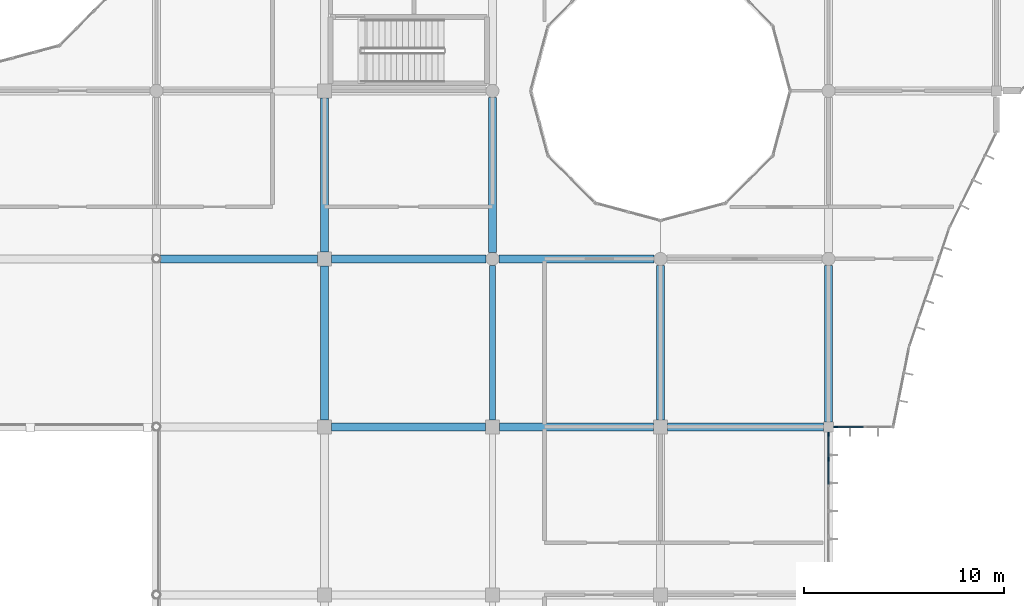
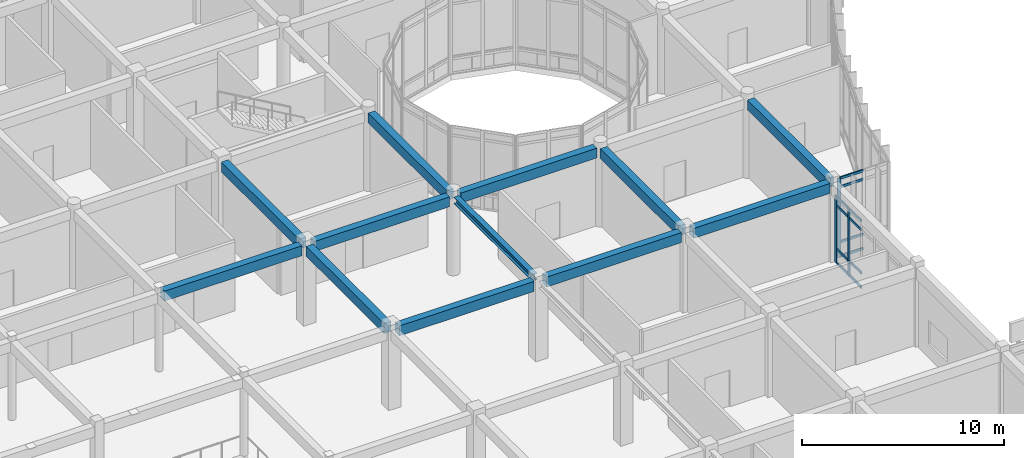
# One storey, part 26 of 134: 15 members, 12 beams, 2 elements without a shape of their own.
"""IFC4 building model written with IfcOpenShell, lengths in metres."""

from ifc_helpers import new_model, si_unit, direction, frame, origin, origin_2d, place, context, subcontext, project, spatial, rectangle, i_section, extrude, material, layer, layer_set, material_profile, profile_set, type_object, element, aggregate, save


model = new_model("IFC4")

# Units and contexts
model_context = context("Model", 3, precision=1e-05, world=origin(), true_north=direction((0.0, 1.0)))
body_context = subcontext(model_context, "Body", "Model", "MODEL_VIEW")
ifc_project = project(units=[si_unit("LENGTHUNIT", "METRE"), si_unit("AREAUNIT", "SQUARE_METRE"), si_unit("VOLUMEUNIT", "CUBIC_METRE"), si_unit("PLANEANGLEUNIT", "RADIAN"), si_unit("MASSUNIT", "GRAM", prefix="KILO")], contexts=[model_context])

# Site, building, storey
site_placement = place(None, origin())
site = spatial("IfcSite", under=ifc_project, at=site_placement, CompositionType="ELEMENT")
building_placement = place(site_placement, origin())
building = spatial("IfcBuilding", under=site, at=building_placement, Name="Bramfleet General Hospital", CompositionType="ELEMENT")
storey_placement = place(building_placement, frame((0.0, 0.0, 9.300048828125)))
storey = spatial("IfcBuildingStorey", under=building, at=storey_placement, Name="L02", CompositionType="ELEMENT", Elevation=9.300048828125)

# Beams
ifc_material_1 = material(Name="Steel S355", Category="steel")
ifc_material_profile_1 = material_profile(ifc_material_1, i_section(OverallWidth=0.300048828125, OverallDepth=0.39990234375, WebThickness=0.013427734375, FlangeThickness=0.02392578125, FilletRadius=0.027099609375, at=origin_2d()), Name="HEB 400")
ifc_profile_set_1 = profile_set([ifc_material_profile_1], Name="Steel S355")
beam_type_1 = type_object("IfcBeamType", Name="BM-HEB400", PredefinedType="BEAM", material=ifc_profile_set_1)
beam_1_placement = place(storey_placement, frame((109.199951171875, 50.75, 4.579833984375), z_axis=(0.0, 1.0, 0.0), x_axis=(-1.0, 0.0, 0.0)))
element("IfcBeam", 1, at=beam_1_placement, inside=storey, type_object=beam_type_1, Name="L02 Grid Beam Y 13-06", PredefinedType="BEAM", context=body_context, shape_type="SweptSolid", body=[
    extrude(i_section(OverallWidth=0.300048828125, OverallDepth=0.39990234375, WebThickness=0.013427734375, FlangeThickness=0.02392578125, FilletRadius=0.027099609375, at=origin_2d()), origin(), (0.0, 0.0, 1.0), 7.72509765625),
])
ifc_material_2 = material(Name="Concrete C35/45", Category="concrete")
ifc_material_profile_2 = material_profile(ifc_material_2, rectangle(XDim=0.39990234375, YDim=0.60009765625, at=origin_2d()), Name="RC BM 600x400")
ifc_profile_set_2 = profile_set([ifc_material_profile_2], Name="Concrete C35/45")
beam_type_2 = type_object("IfcBeamType", Name="BM-RC600", PredefinedType="BEAM", material=ifc_profile_set_2)
beam_2_placement = place(storey_placement, frame((92.603271484375, 58.800048828125, 4.47998046875), z_axis=(1.0, 0.0, 0.0), x_axis=(0.0, 1.0, 0.0)))
element("IfcBeam", 2, at=beam_2_placement, inside=storey, type_object=beam_type_2, Name="L02 Grid Beam X 11-07", PredefinedType="BEAM", context=body_context, shape_type="SweptSolid", body=[
    extrude(rectangle(XDim=0.39990234375, YDim=0.60009765625, at=origin_2d()), origin(), (0.0, 0.0, 1.0), 7.8466796875),
])
beam_3_placement = place(storey_placement, frame((101.14990234375, 50.39990234375, 4.47998046875), z_axis=(1.0, 0.0, 0.0), x_axis=(0.0, 1.0, 0.0)))
element("IfcBeam", 3, at=beam_3_placement, inside=storey, type_object=beam_type_2, Name="L02 Grid Beam X 12-06", PredefinedType="BEAM", context=body_context, shape_type="SweptSolid", body=[
    extrude(rectangle(XDim=0.39990234375, YDim=0.60009765625, at=origin_2d()), origin(), (0.0, 0.0, 1.0), 7.7001953125),
])
beam_4_placement = place(storey_placement, frame((101.14990234375, 58.800048828125, 4.47998046875), z_axis=(1.0, 0.0, 0.0), x_axis=(0.0, 1.0, 0.0)))
element("IfcBeam", 4, at=beam_4_placement, inside=storey, type_object=beam_type_2, Name="L02 Grid Beam X 12-07", PredefinedType="BEAM", context=body_context, shape_type="SweptSolid", body=[
    extrude(rectangle(XDim=0.39990234375, YDim=0.60009765625, at=origin_2d()), origin(), (0.0, 0.0, 1.0), 7.72509765625),
])
beam_5_placement = place(storey_placement, frame((109.550048828125, 50.39990234375, 4.47998046875), z_axis=(1.0, 0.0, 0.0), x_axis=(0.0, 1.0, 0.0)))
element("IfcBeam", 5, at=beam_5_placement, inside=storey, type_object=beam_type_2, Name="L02 Grid Beam X 13-06", PredefinedType="BEAM", context=body_context, shape_type="SweptSolid", body=[
    extrude(rectangle(XDim=0.39990234375, YDim=0.60009765625, at=origin_2d()), origin(), (0.0, 0.0, 1.0), 7.699951171875),
])
beam_6_placement = place(storey_placement, frame((109.52490234375, 58.800048828125, 4.47998046875), z_axis=(1.0, 0.0, 0.0), x_axis=(0.0, 1.0, 0.0)))
element("IfcBeam", 6, at=beam_6_placement, inside=storey, type_object=beam_type_2, Name="L02 Grid Beam X 13-07", PredefinedType="BEAM", context=body_context, shape_type="SweptSolid", body=[
    extrude(rectangle(XDim=0.39990234375, YDim=0.60009765625, at=origin_2d()), origin(), (0.0, 0.0, 1.0), 7.75),
])
beam_7_placement = place(storey_placement, frame((117.949951171875, 50.39990234375, 4.47998046875), z_axis=(1.0, 0.0, 0.0), x_axis=(0.0, 1.0, 0.0)))
element("IfcBeam", 7, at=beam_7_placement, inside=storey, type_object=beam_type_2, Name="L02 Grid Beam X 14-06", PredefinedType="BEAM", context=body_context, shape_type="SweptSolid", body=[
    extrude(rectangle(XDim=0.39990234375, YDim=0.60009765625, at=origin_2d()), origin(), (0.0, 0.0, 1.0), 7.800048828125),
])
beam_8_placement = place(storey_placement, frame((100.800048828125, 50.75, 4.47998046875), z_axis=(0.0, 1.0, 0.0), x_axis=(-1.0, 0.0, 0.0)))
element("IfcBeam", 8, at=beam_8_placement, inside=storey, type_object=beam_type_2, Name="L02 Grid Beam Y 12-06", PredefinedType="BEAM", context=body_context, shape_type="SweptSolid", body=[
    extrude(rectangle(XDim=0.39990234375, YDim=0.60009765625, at=origin_2d()), origin(), (0.0, 0.0, 1.0), 7.699951171875),
])
beam_9_placement = place(storey_placement, frame((100.800048828125, 59.14990234375, 4.47998046875), z_axis=(0.0, 1.0, 0.0), x_axis=(-1.0, 0.0, 0.0)))
element("IfcBeam", 9, at=beam_9_placement, inside=storey, type_object=beam_type_2, Name="L02 Grid Beam Y 12-07", PredefinedType="BEAM", context=body_context, shape_type="SweptSolid", body=[
    extrude(rectangle(XDim=0.39990234375, YDim=0.60009765625, at=origin_2d()), origin(), (0.0, 0.0, 1.0), 7.7001953125),
])
beam_10_placement = place(storey_placement, frame((109.199951171875, 59.125, 4.47998046875), z_axis=(0.0, 1.0, 0.0), x_axis=(-1.0, 0.0, 0.0)))
element("IfcBeam", 10, at=beam_10_placement, inside=storey, type_object=beam_type_2, Name="L02 Grid Beam Y 13-07", PredefinedType="BEAM", context=body_context, shape_type="SweptSolid", body=[
    extrude(rectangle(XDim=0.39990234375, YDim=0.60009765625, at=origin_2d()), origin(), (0.0, 0.0, 1.0), 7.75),
])
beam_11_placement = place(storey_placement, frame((117.60009765625, 50.75, 4.47998046875), z_axis=(0.0, 1.0, 0.0), x_axis=(-1.0, 0.0, 0.0)))
element("IfcBeam", 11, at=beam_11_placement, inside=storey, type_object=beam_type_2, Name="L02 Grid Beam Y 14-06", PredefinedType="BEAM", context=body_context, shape_type="SweptSolid", body=[
    extrude(rectangle(XDim=0.39990234375, YDim=0.60009765625, at=origin_2d()), origin(), (0.0, 0.0, 1.0), 7.72509765625),
])
beam_12_placement = place(storey_placement, frame((126.0, 50.64990234375, 4.47998046875), z_axis=(0.0, 1.0, 0.0), x_axis=(-1.0, 0.0, 0.0)))
element("IfcBeam", 12, at=beam_12_placement, inside=storey, type_object=beam_type_2, Name="L02 Grid Beam Y 15-06", PredefinedType="BEAM", context=body_context, shape_type="SweptSolid", body=[
    extrude(rectangle(XDim=0.39990234375, YDim=0.60009765625, at=origin_2d()), origin(), (0.0, 0.0, 1.0), 7.8251953125),
])

# Curtain wall, member
ifc_material_3 = material(Name="Anodised aluminium and low-E triple glazing", Category="aluminium")
ifc_layer_1 = layer(ifc_material_3, 0.179931640625, Name="CWT-CW-05")
ifc_layer_set_1 = layer_set([ifc_layer_1], Name="Anodised aluminium and low-E triple glazing")
curtain_wall_type_1 = type_object("IfcCurtainWallType", Name="CWT-CW-05", PredefinedType="USERDEFINED", material=ifc_layer_set_1)
curtain_wall_1_placement = place(storey_placement, origin())
curtain_wall_1 = element("IfcCurtainWall", 13, at=curtain_wall_1_placement, inside=storey, type_object=curtain_wall_type_1, Name="L02 Curtain Wall 113", ObjectType="Unitised curtain wall", PredefinedType="USERDEFINED")
ifc_material_4 = material(Name="Structural timber GL28h", Category="wood")
ifc_material_profile_3 = material_profile(ifc_material_4, rectangle(XDim=0.070068359375, YDim=0.18994140625, at=origin_2d()), Name="LARCH 190x70")
ifc_profile_set_3 = profile_set([ifc_material_profile_3], Name="Structural timber GL28h")
member_type_1 = type_object("IfcMemberType", Name="CWM-LARCH450", PredefinedType="MULLION", material=ifc_profile_set_3)
member_1_placement = place(storey_placement, frame((126.360107421875, 50.39990234375, 0.0), z_axis=(0.0, 0.0, 1.0), x_axis=(0.0, -1.0, 0.0)))
member_1 = element("IfcMember", 14, at=member_1_placement, type_object=member_type_1, Name="CW-05 mullion 3", PredefinedType="MULLION", context=body_context, shape_type="SweptSolid", body=[
    extrude(rectangle(XDim=0.070068359375, YDim=0.18994140625, at=origin_2d()), origin(), (0.0, 0.0, 1.0), 4.77001953125),
])

# Curtain wall, members
ifc_layer_2 = layer(ifc_material_3, 0.179931640625, Name="CWT-CW-06")
ifc_layer_set_2 = layer_set([ifc_layer_2], Name="Anodised aluminium and low-E triple glazing")
curtain_wall_type_2 = type_object("IfcCurtainWallType", Name="CWT-CW-06", PredefinedType="USERDEFINED", material=ifc_layer_set_2)
curtain_wall_2_placement = place(storey_placement, origin())
curtain_wall_2 = element("IfcCurtainWall", 15, at=curtain_wall_2_placement, inside=storey, type_object=curtain_wall_type_2, Name="L02 Curtain Wall 114", ObjectType="Unitised curtain wall", PredefinedType="USERDEFINED")
member_2_placement = place(storey_placement, frame((126.0, 50.0400390625, 0.0), z_axis=(0.0, 0.0, 1.0), x_axis=(1.0, 0.0, 0.0)))
member_2 = element("IfcMember", 16, at=member_2_placement, type_object=member_type_1, Name="CW-06 mullion 1", PredefinedType="MULLION", context=body_context, shape_type="SweptSolid", body=[
    extrude(rectangle(XDim=0.070068359375, YDim=0.18994140625, at=origin_2d()), origin(), (0.0, 0.0, 1.0), 4.070068359375),
])
member_3_placement = place(storey_placement, frame((126.0, 48.783447265625, 0.0), z_axis=(0.0, 0.0, 1.0), x_axis=(1.0, 0.0, 0.0)))
member_3 = element("IfcMember", 17, at=member_3_placement, type_object=member_type_1, Name="CW-06 mullion 2", PredefinedType="MULLION", context=body_context, shape_type="SweptSolid", body=[
    extrude(rectangle(XDim=0.070068359375, YDim=0.18994140625, at=origin_2d()), origin(), (0.0, 0.0, 1.0), 4.070068359375),
])

# Member
ifc_material_profile_4 = material_profile(ifc_material_4, rectangle(XDim=0.06494140625, YDim=0.14990234375, at=origin_2d()), Name="LARCH 150x65")
ifc_profile_set_4 = profile_set([ifc_material_profile_4], Name="Structural timber GL28h")
member_type_2 = type_object("IfcMemberType", Name="CWT-LARCH220", PredefinedType="USERDEFINED", material=ifc_profile_set_4)
member_4_placement = place(storey_placement, frame((127.7451171875, 50.39990234375, 0.032470703125), z_axis=(-1.0, 0.0, 0.0), x_axis=(0.0, -1.0, 0.0)))
member_4 = element("IfcMember", 18, at=member_4_placement, type_object=member_type_2, Name="CW-05 transom 2.1", ObjectType="TRANSOM", PredefinedType="USERDEFINED", context=body_context, shape_type="SweptSolid", body=[
    extrude(rectangle(XDim=0.06494140625, YDim=0.14990234375, at=origin_2d()), origin(), (0.0, 0.0, 1.0), 1.35009765625),
])

member_5_placement = place(storey_placement, frame((127.7451171875, 50.39990234375, 0.89990234375), z_axis=(-1.0, 0.0, 0.0), x_axis=(0.0, -1.0, 0.0)))
member_5 = element("IfcMember", 19, at=member_5_placement, type_object=member_type_2, Name="CW-05 transom 2.2", ObjectType="TRANSOM", PredefinedType="USERDEFINED", context=body_context, shape_type="SweptSolid", body=[
    extrude(rectangle(XDim=0.06494140625, YDim=0.14990234375, at=origin_2d()), origin(), (0.0, 0.0, 1.0), 1.35009765625),
])

member_6_placement = place(storey_placement, frame((127.7451171875, 50.39990234375, 4.219970703125), z_axis=(-1.0, 0.0, 0.0), x_axis=(0.0, -1.0, 0.0)))
member_6 = element("IfcMember", 20, at=member_6_placement, type_object=member_type_2, Name="CW-05 transom 2.3", ObjectType="TRANSOM", PredefinedType="USERDEFINED", context=body_context, shape_type="SweptSolid", body=[
    extrude(rectangle(XDim=0.06494140625, YDim=0.14990234375, at=origin_2d()), origin(), (0.0, 0.0, 1.0), 1.35009765625),
])

member_7_placement = place(storey_placement, frame((127.7451171875, 50.39990234375, 4.737548828125), z_axis=(-1.0, 0.0, 0.0), x_axis=(0.0, -1.0, 0.0)))
member_7 = element("IfcMember", 21, at=member_7_placement, type_object=member_type_2, Name="CW-05 transom 2.4", ObjectType="TRANSOM", PredefinedType="USERDEFINED", context=body_context, shape_type="SweptSolid", body=[
    extrude(rectangle(XDim=0.06494140625, YDim=0.14990234375, at=origin_2d()), origin(), (0.0, 0.0, 1.0), 1.35009765625),
])

aggregate(curtain_wall_1, [member_1, member_4, member_5, member_6, member_7])

member_8_placement = place(storey_placement, frame((126.0, 50.0048828125, 0.032470703125), z_axis=(0.0, -1.0, 0.0), x_axis=(1.0, 0.0, 0.0)))
member_8 = element("IfcMember", 22, at=member_8_placement, type_object=member_type_2, Name="CW-06 transom 1.1", ObjectType="TRANSOM", PredefinedType="USERDEFINED", context=body_context, shape_type="SweptSolid", body=[
    extrude(rectangle(XDim=0.06494140625, YDim=0.14990234375, at=origin_2d()), origin(), (0.0, 0.0, 1.0), 1.1865234375),
])

member_9_placement = place(storey_placement, frame((126.0, 50.0048828125, 0.89990234375), z_axis=(0.0, -1.0, 0.0), x_axis=(1.0, 0.0, 0.0)))
member_9 = element("IfcMember", 23, at=member_9_placement, type_object=member_type_2, Name="CW-06 transom 1.2", ObjectType="TRANSOM", PredefinedType="USERDEFINED", context=body_context, shape_type="SweptSolid", body=[
    extrude(rectangle(XDim=0.06494140625, YDim=0.14990234375, at=origin_2d()), origin(), (0.0, 0.0, 1.0), 1.1865234375),
])

member_10_placement = place(storey_placement, frame((126.0, 50.0048828125, 3.52001953125), z_axis=(0.0, -1.0, 0.0), x_axis=(1.0, 0.0, 0.0)))
member_10 = element("IfcMember", 24, at=member_10_placement, type_object=member_type_2, Name="CW-06 transom 1.3", ObjectType="TRANSOM", PredefinedType="USERDEFINED", context=body_context, shape_type="SweptSolid", body=[
    extrude(rectangle(XDim=0.06494140625, YDim=0.14990234375, at=origin_2d()), origin(), (0.0, 0.0, 1.0), 1.1865234375),
])

member_11_placement = place(storey_placement, frame((126.0, 50.0048828125, 4.037353515625), z_axis=(0.0, -1.0, 0.0), x_axis=(1.0, 0.0, 0.0)))
member_11 = element("IfcMember", 25, at=member_11_placement, type_object=member_type_2, Name="CW-06 transom 1.4", ObjectType="TRANSOM", PredefinedType="USERDEFINED", context=body_context, shape_type="SweptSolid", body=[
    extrude(rectangle(XDim=0.06494140625, YDim=0.14990234375, at=origin_2d()), origin(), (0.0, 0.0, 1.0), 1.1865234375),
])

member_12_placement = place(storey_placement, frame((126.0, 48.748291015625, 0.032470703125), z_axis=(0.0, -1.0, 0.0), x_axis=(1.0, 0.0, 0.0)))
member_12 = element("IfcMember", 26, at=member_12_placement, type_object=member_type_2, Name="CW-06 transom 2.1", ObjectType="TRANSOM", PredefinedType="USERDEFINED", context=body_context, shape_type="SweptSolid", body=[
    extrude(rectangle(XDim=0.06494140625, YDim=0.14990234375, at=origin_2d()), origin(), (0.0, 0.0, 1.0), 1.2216796875),
])

member_13_placement = place(storey_placement, frame((126.0, 48.748291015625, 0.89990234375), z_axis=(0.0, -1.0, 0.0), x_axis=(1.0, 0.0, 0.0)))
member_13 = element("IfcMember", 27, at=member_13_placement, type_object=member_type_2, Name="CW-06 transom 2.2", ObjectType="TRANSOM", PredefinedType="USERDEFINED", context=body_context, shape_type="SweptSolid", body=[
    extrude(rectangle(XDim=0.06494140625, YDim=0.14990234375, at=origin_2d()), origin(), (0.0, 0.0, 1.0), 1.2216796875),
])

member_14_placement = place(storey_placement, frame((126.0, 48.748291015625, 3.52001953125), z_axis=(0.0, -1.0, 0.0), x_axis=(1.0, 0.0, 0.0)))
member_14 = element("IfcMember", 28, at=member_14_placement, type_object=member_type_2, Name="CW-06 transom 2.3", ObjectType="TRANSOM", PredefinedType="USERDEFINED", context=body_context, shape_type="SweptSolid", body=[
    extrude(rectangle(XDim=0.06494140625, YDim=0.14990234375, at=origin_2d()), origin(), (0.0, 0.0, 1.0), 1.2216796875),
])

member_15_placement = place(storey_placement, frame((126.0, 48.748291015625, 4.037353515625), z_axis=(0.0, -1.0, 0.0), x_axis=(1.0, 0.0, 0.0)))
member_15 = element("IfcMember", 29, at=member_15_placement, type_object=member_type_2, Name="CW-06 transom 2.4", ObjectType="TRANSOM", PredefinedType="USERDEFINED", context=body_context, shape_type="SweptSolid", body=[
    extrude(rectangle(XDim=0.06494140625, YDim=0.14990234375, at=origin_2d()), origin(), (0.0, 0.0, 1.0), 1.2216796875),
])

aggregate(curtain_wall_2, [member_2, member_3, member_8, member_9, member_10, member_11, member_12, member_13, member_14, member_15])

save(model, "model.ifc")
